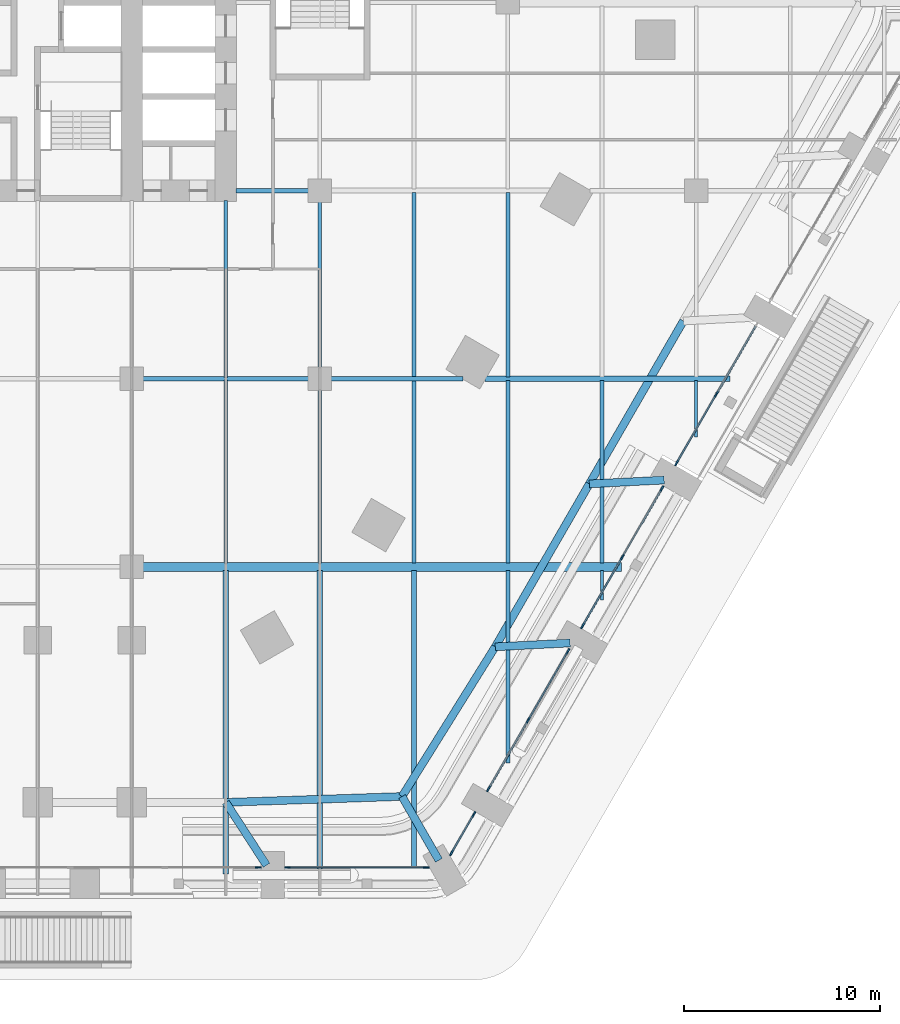
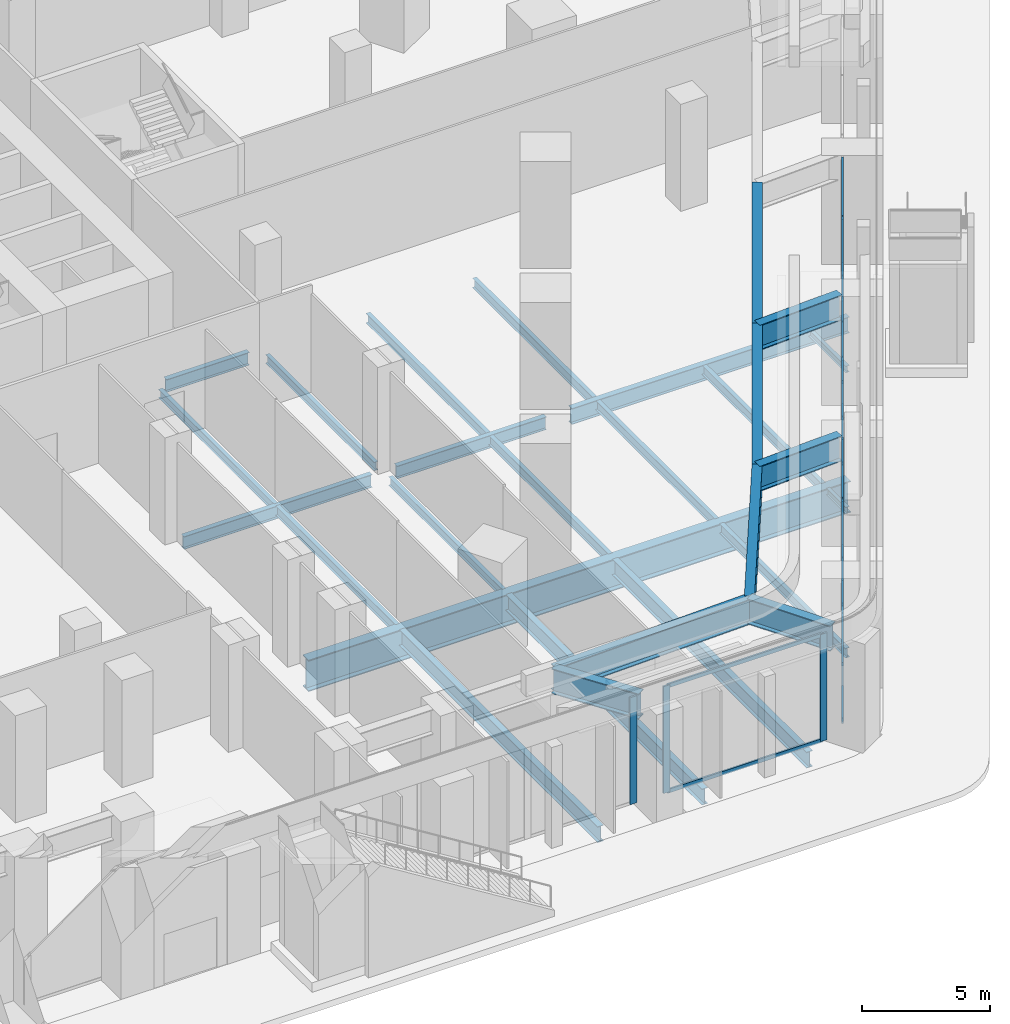
# One storey, part 6 of 34: 29 members, 28 beams, 6 elements without a shape of their own.
"""IFC4 building model written with IfcOpenShell, lengths in metres."""

from ifc_helpers import new_model, si_unit, direction, frame, origin, origin_2d, place, context, subcontext, project, spatial, rectangle, i_section, extrude, material, material_profile, profile_set, type_object, element, aggregate, save


model = new_model("IFC4")

# Units and contexts
model_context = context("Model", 3, precision=1e-05, world=origin(), true_north=direction((0.0, 1.0)))
body_context = subcontext(model_context, "Body", "Model", "MODEL_VIEW")
ifc_project = project(units=[si_unit("LENGTHUNIT", "METRE"), si_unit("AREAUNIT", "SQUARE_METRE"), si_unit("VOLUMEUNIT", "CUBIC_METRE"), si_unit("PLANEANGLEUNIT", "RADIAN"), si_unit("MASSUNIT", "GRAM", prefix="KILO")], contexts=[model_context])

# Site, building, storey
site_placement = place(None, origin())
site = spatial("IfcSite", under=ifc_project, at=site_placement, CompositionType="ELEMENT")
building_placement = place(site_placement, origin())
building = spatial("IfcBuilding", under=site, at=building_placement, Name="Kolab Exchange Tower", CompositionType="ELEMENT")
storey_placement = place(building_placement, frame((0.0, 0.0, 7.0)))
storey = spatial("IfcBuildingStorey", under=building, at=storey_placement, Name="L01", CompositionType="ELEMENT", Elevation=7.0)

# Beams
ifc_material_1 = material(Name="Steel S355", Category="steel")
ifc_material_profile_1 = material_profile(ifc_material_1, i_section(OverallWidth=0.1650390625, OverallDepth=0.31005859375, WebThickness=0.005859375, FlangeThickness=0.009765625, at=origin_2d()), Name="W310X39")
ifc_profile_set_1 = profile_set([ifc_material_profile_1], Name="Steel S355")
beam_type_1 = type_object("IfcBeamType", Name="FLOOR BEAM W310X39", PredefinedType="BEAM", material=ifc_profile_set_1)
beam_1_placement = place(storey_placement, frame((33.60009765625, -30.495361328125, -0.455078125), z_axis=(0.0, 1.0, 0.0), x_axis=(-1.0, 0.0, 0.0)))
element("IfcBeam", 1, at=beam_1_placement, inside=storey, type_object=beam_type_1, Name="beam/L01/fr/125", PredefinedType="BEAM", context=body_context, shape_type="SweptSolid", body=[
    extrude(i_section(OverallWidth=0.1650390625, OverallDepth=0.31005859375, WebThickness=0.005859375, FlangeThickness=0.009765625, at=origin_2d()), origin(), (0.0, 0.0, 1.0), 1.51025390625),
])
beam_2_placement = place(storey_placement, frame((38.39990234375, -22.181396484375, -0.455078125), z_axis=(0.0, 1.0, 0.0), x_axis=(-1.0, 0.0, 0.0)))
element("IfcBeam", 2, at=beam_2_placement, inside=storey, type_object=beam_type_1, Name="beam/L01/fr/134", PredefinedType="BEAM", context=body_context, shape_type="SweptSolid", body=[
    extrude(i_section(OverallWidth=0.1650390625, OverallDepth=0.31005859375, WebThickness=0.005859375, FlangeThickness=0.009765625, at=origin_2d()), origin(), (0.0, 0.0, 1.0), 2.887939453125),
])
ifc_material_profile_2 = material_profile(ifc_material_1, i_section(OverallWidth=0.177978515625, OverallDepth=0.406982421875, WebThickness=0.0078125, FlangeThickness=0.0126953125, at=origin_2d()), Name="W410X60")
ifc_profile_set_2 = profile_set([ifc_material_profile_2], Name="Steel S355")
beam_type_2 = type_object("IfcBeamType", Name="FLOOR BEAM W410X60", PredefinedType="BEAM", material=ifc_profile_set_2)
beam_3_placement = place(storey_placement, frame((14.39990234375, -19.1259765625, -0.50341796875), z_axis=(0.0, 1.0, 0.0), x_axis=(-1.0, 0.0, 0.0)))
element("IfcBeam", 3, at=beam_3_placement, inside=storey, type_object=beam_type_2, Name="beam/L01/fr/095", PredefinedType="BEAM", context=body_context, shape_type="SweptSolid", body=[
    extrude(i_section(OverallWidth=0.177978515625, OverallDepth=0.406982421875, WebThickness=0.0078125, FlangeThickness=0.0126953125, at=origin_2d()), origin(), (0.0, 0.0, 1.0), 9.015869140625),
])
beam_4_placement = place(storey_placement, frame((19.199951171875, -28.614990234375, -0.50341796875), z_axis=(0.0, 1.0, 0.0), x_axis=(-1.0, 0.0, 0.0)))
element("IfcBeam", 4, at=beam_4_placement, inside=storey, type_object=beam_type_2, Name="beam/L01/fr/100", PredefinedType="BEAM", context=body_context, shape_type="SweptSolid", body=[
    extrude(i_section(OverallWidth=0.177978515625, OverallDepth=0.406982421875, WebThickness=0.0078125, FlangeThickness=0.0126953125, at=origin_2d()), origin(), (0.0, 0.0, 1.0), 8.85498046875),
])
beam_5_placement = place(storey_placement, frame((19.199951171875, -18.639892578125, -0.50341796875), z_axis=(0.0, 1.0, 0.0), x_axis=(-1.0, 0.0, 0.0)))
element("IfcBeam", 5, at=beam_5_placement, inside=storey, type_object=beam_type_2, Name="beam/L01/fr/101", PredefinedType="BEAM", context=body_context, shape_type="SweptSolid", body=[
    extrude(i_section(OverallWidth=0.177978515625, OverallDepth=0.406982421875, WebThickness=0.0078125, FlangeThickness=0.0126953125, at=origin_2d()), origin(), (0.0, 0.0, 1.0), 8.47998046875),
])
ifc_material_profile_3 = material_profile(ifc_material_1, i_section(OverallWidth=0.18994140625, OverallDepth=0.45703125, WebThickness=0.009033203125, FlangeThickness=0.014404296875, at=origin_2d()), Name="W460X74")
ifc_profile_set_3 = profile_set([ifc_material_profile_3], Name="Steel S355")
beam_type_3 = type_object("IfcBeamType", Name="FLOOR BEAM W460X74", PredefinedType="BEAM", material=ifc_profile_set_3)
for number, where, z_axis, x_axis, name in (
    (6, (14.39990234375, -28.614990234375, -0.528564453125), (0.0, 1.0, 0.0), (-1.0, 0.0, 0.0), "beam/L01/fr/094"),
    (7, (24.0, -28.614990234375, -0.528564453125), (0.0, 1.0, 0.0), (-1.0, 0.0, 0.0), "beam/L01/fr/108"),
):
    element("IfcBeam", number, at=place(storey_placement, frame(where, z_axis=z_axis, x_axis=x_axis)), inside=storey, type_object=beam_type_3, Name=name, PredefinedType="BEAM", context=body_context, shape_type="SweptSolid", body=[
        extrude(i_section(OverallWidth=0.18994140625, OverallDepth=0.45703125, WebThickness=0.009033203125, FlangeThickness=0.014404296875, at=origin_2d()), origin(), (0.0, 0.0, 1.0), 9.341064453125),
    ])
beam_6_placement = place(storey_placement, frame((24.0, -19.1259765625, -0.528564453125), z_axis=(0.0, 1.0, 0.0), x_axis=(-1.0, 0.0, 0.0)))
element("IfcBeam", 8, at=beam_6_placement, inside=storey, type_object=beam_type_3, Name="beam/L01/fr/109", PredefinedType="BEAM", context=body_context, shape_type="SweptSolid", body=[
    extrude(i_section(OverallWidth=0.18994140625, OverallDepth=0.45703125, WebThickness=0.009033203125, FlangeThickness=0.014404296875, at=origin_2d()), origin(), (0.0, 0.0, 1.0), 9.43896484375),
])
beam_7_placement = place(storey_placement, frame((28.800048828125, -38.80908203125, -0.528564453125), z_axis=(0.0, 1.0, 0.0), x_axis=(-1.0, 0.0, 0.0)))
element("IfcBeam", 9, at=beam_7_placement, inside=storey, type_object=beam_type_3, Name="beam/L01/fr/116", PredefinedType="BEAM", context=body_context, shape_type="SweptSolid", body=[
    extrude(i_section(OverallWidth=0.18994140625, OverallDepth=0.45703125, WebThickness=0.009033203125, FlangeThickness=0.014404296875, at=origin_2d()), origin(), (0.0, 0.0, 1.0), 9.823974609375),
])
beam_8_placement = place(storey_placement, frame((28.800048828125, -28.614990234375, -0.528564453125), z_axis=(0.0, 1.0, 0.0), x_axis=(-1.0, 0.0, 0.0)))
element("IfcBeam", 10, at=beam_8_placement, inside=storey, type_object=beam_type_3, Name="beam/L01/fr/117", PredefinedType="BEAM", context=body_context, shape_type="SweptSolid", body=[
    extrude(i_section(OverallWidth=0.18994140625, OverallDepth=0.45703125, WebThickness=0.009033203125, FlangeThickness=0.014404296875, at=origin_2d()), origin(), (0.0, 0.0, 1.0), 9.321533203125),
])
beam_9_placement = place(storey_placement, frame((28.800048828125, -19.1064453125, -0.528564453125), z_axis=(0.0, 1.0, 0.0), x_axis=(-1.0, 0.0, 0.0)))
element("IfcBeam", 11, at=beam_9_placement, inside=storey, type_object=beam_type_3, Name="beam/L01/fr/118", PredefinedType="BEAM", context=body_context, shape_type="SweptSolid", body=[
    extrude(i_section(OverallWidth=0.18994140625, OverallDepth=0.45703125, WebThickness=0.009033203125, FlangeThickness=0.014404296875, at=origin_2d()), origin(), (0.0, 0.0, 1.0), 9.41943359375),
])
beam_10_placement = place(storey_placement, frame((33.60009765625, -28.614990234375, -0.528564453125), z_axis=(0.0, 1.0, 0.0), x_axis=(-1.0, 0.0, 0.0)))
element("IfcBeam", 12, at=beam_10_placement, inside=storey, type_object=beam_type_3, Name="beam/L01/fr/126", PredefinedType="BEAM", context=body_context, shape_type="SweptSolid", body=[
    extrude(i_section(OverallWidth=0.18994140625, OverallDepth=0.45703125, WebThickness=0.009033203125, FlangeThickness=0.014404296875, at=origin_2d()), origin(), (0.0, 0.0, 1.0), 9.321533203125),
])
ifc_material_profile_4 = material_profile(ifc_material_1, i_section(OverallWidth=0.26708984375, OverallDepth=0.761962890625, WebThickness=0.014404296875, FlangeThickness=0.021484375, at=origin_2d()), Name="W760X173")
ifc_profile_set_4 = profile_set([ifc_material_profile_4], Name="Steel S355")
beam_type_4 = type_object("IfcBeamType", Name="FLOOR BEAM W760X173", PredefinedType="BEAM", material=ifc_profile_set_4)
beam_11_placement = place(storey_placement, frame((14.39990234375, -44.478515625, -0.680908203125), z_axis=(0.0, 1.0, 0.0), x_axis=(-1.0, 0.0, 0.0)))
element("IfcBeam", 13, at=beam_11_placement, inside=storey, type_object=beam_type_4, Name="beam/L01/fr/093", PredefinedType="BEAM", context=body_context, shape_type="SweptSolid", body=[
    extrude(i_section(OverallWidth=0.26708984375, OverallDepth=0.761962890625, WebThickness=0.014404296875, FlangeThickness=0.021484375, at=origin_2d()), origin(), (0.0, 0.0, 1.0), 15.493408203125),
])
beam_12_placement = place(storey_placement, frame((19.199951171875, -44.300048828125, -0.680908203125), z_axis=(0.0, 1.0, 0.0), x_axis=(-1.0, 0.0, 0.0)))
element("IfcBeam", 14, at=beam_12_placement, inside=storey, type_object=beam_type_4, Name="beam/L01/fr/099", PredefinedType="BEAM", context=body_context, shape_type="SweptSolid", body=[
    extrude(i_section(OverallWidth=0.26708984375, OverallDepth=0.761962890625, WebThickness=0.014404296875, FlangeThickness=0.021484375, at=origin_2d()), origin(), (0.0, 0.0, 1.0), 15.31494140625),
])
beam_13_placement = place(storey_placement, frame((24.0, -44.16796875, -0.680908203125), z_axis=(0.0, 1.0, 0.0), x_axis=(-1.0, 0.0, 0.0)))
element("IfcBeam", 15, at=beam_13_placement, inside=storey, type_object=beam_type_4, Name="beam/L01/fr/107", PredefinedType="BEAM", context=body_context, shape_type="SweptSolid", body=[
    extrude(i_section(OverallWidth=0.26708984375, OverallDepth=0.761962890625, WebThickness=0.014404296875, FlangeThickness=0.021484375, at=origin_2d()), origin(), (0.0, 0.0, 1.0), 15.182861328125),
])
ifc_material_profile_5 = material_profile(ifc_material_1, i_section(OverallWidth=0.449951171875, OverallDepth=1.5, WebThickness=0.028076171875, FlangeThickness=0.044921875, at=origin_2d()), Name="PG1500X450")
ifc_profile_set_5 = profile_set([ifc_material_profile_5], Name="Steel S355")
beam_type_5 = type_object("IfcBeamType", Name="FLOOR GIRDER PG1500X450", PredefinedType="BEAM", material=ifc_profile_set_5)
beam_14_placement = place(storey_placement, frame((10.159912109375, -28.800048828125, -1.050048828125), z_axis=(1.0, 0.0, 0.0), x_axis=(0.0, 1.0, 0.0)))
element("IfcBeam", 16, at=beam_14_placement, inside=storey, type_object=beam_type_5, Name="beam/L01/gd/027", PredefinedType="BEAM", context=body_context, shape_type="SweptSolid", body=[
    extrude(i_section(OverallWidth=0.449951171875, OverallDepth=1.5, WebThickness=0.028076171875, FlangeThickness=0.044921875, at=origin_2d()), origin(), (0.0, 0.0, 1.0), 24.435791015625),
])
ifc_material_profile_6 = material_profile(ifc_material_1, i_section(OverallWidth=0.22802734375, OverallDepth=0.60791015625, WebThickness=0.01123046875, FlangeThickness=0.017333984375, at=origin_2d()), Name="W610X113")
ifc_profile_set_6 = profile_set([ifc_material_profile_6], Name="Steel S355")
beam_type_6 = type_object("IfcBeamType", Name="FLOOR GIRDER W610X113", PredefinedType="BEAM", material=ifc_profile_set_6)
beam_15_placement = place(storey_placement, frame((10.159912109375, -19.199951171875, -0.60400390625), z_axis=(1.0, 0.0, 0.0), x_axis=(0.0, 1.0, 0.0)))
element("IfcBeam", 17, at=beam_15_placement, inside=storey, type_object=beam_type_6, Name="beam/L01/gd/028", PredefinedType="BEAM", context=body_context, shape_type="SweptSolid", body=[
    extrude(i_section(OverallWidth=0.22802734375, OverallDepth=0.60791015625, WebThickness=0.01123046875, FlangeThickness=0.017333984375, at=origin_2d()), origin(), (0.0, 0.0, 1.0), 8.47998046875),
])
beam_16_placement = place(storey_placement, frame((14.909912109375, -9.60009765625, -0.60400390625), z_axis=(1.0, 0.0, 0.0), x_axis=(0.0, 1.0, 0.0)))
element("IfcBeam", 18, at=beam_16_placement, inside=storey, type_object=beam_type_6, Name="beam/L01/gd/031", PredefinedType="BEAM", context=body_context, shape_type="SweptSolid", body=[
    extrude(i_section(OverallWidth=0.22802734375, OverallDepth=0.60791015625, WebThickness=0.01123046875, FlangeThickness=0.017333984375, at=origin_2d()), origin(), (0.0, 0.0, 1.0), 3.72998046875),
])
beam_17_placement = place(storey_placement, frame((19.760009765625, -19.199951171875, -0.60400390625), z_axis=(1.0, 0.0, 0.0), x_axis=(0.0, 1.0, 0.0)))
element("IfcBeam", 19, at=beam_17_placement, inside=storey, type_object=beam_type_6, Name="beam/L01/gd/034", PredefinedType="BEAM", context=body_context, shape_type="SweptSolid", body=[
    extrude(i_section(OverallWidth=0.22802734375, OverallDepth=0.60791015625, WebThickness=0.01123046875, FlangeThickness=0.017333984375, at=origin_2d()), origin(), (0.0, 0.0, 1.0), 6.7353515625),
])
ifc_material_profile_7 = material_profile(ifc_material_1, i_section(OverallWidth=0.26708984375, OverallDepth=0.761962890625, WebThickness=0.014404296875, FlangeThickness=0.021484375, at=origin_2d()), Name="W760X173")
ifc_profile_set_7 = profile_set([ifc_material_profile_7], Name="Steel S355")
beam_type_7 = type_object("IfcBeamType", Name="FLOOR GIRDER W760X173", PredefinedType="BEAM", material=ifc_profile_set_7)
beam_18_placement = place(storey_placement, frame((27.621337890625, -19.199951171875, -0.680908203125), z_axis=(1.0, 0.0, 0.0), x_axis=(0.0, 1.0, 0.0)))
element("IfcBeam", 20, at=beam_18_placement, inside=storey, type_object=beam_type_7, Name="beam/L01/gd/039", PredefinedType="BEAM", context=body_context, shape_type="SweptSolid", body=[
    extrude(i_section(OverallWidth=0.26708984375, OverallDepth=0.761962890625, WebThickness=0.014404296875, FlangeThickness=0.021484375, at=origin_2d()), origin(), (0.0, 0.0, 1.0), 12.516845703125),
])

# Curtain wall, members
ifc_material_2 = material(Name="Aluminium EN AW-6063 T6", Category="aluminium")
curtain_wall_type = type_object("IfcCurtainWallType", Name="PODIUM STRUCTURAL GLAZING CURTAIN WALL", PredefinedType="NOTDEFINED", material=ifc_material_2)
curtain_wall_1_placement = place(storey_placement, origin())
curtain_wall_1 = element("IfcCurtainWall", 21, at=curtain_wall_1_placement, inside=storey, type_object=curtain_wall_type, Name="cw/L01/F3-3", PredefinedType="NOTDEFINED")
ifc_material_profile_8 = material_profile(ifc_material_2, rectangle(XDim=0.080078125, YDim=0.300048828125, at=origin_2d()), Name="RECT 80X300")
ifc_profile_set_8 = profile_set([ifc_material_profile_8], Name="Aluminium EN AW-6063 T6")
member_type_1 = type_object("IfcMemberType", Name="PODIUM STRUCTURAL GLAZING MULLION 80 X 300", PredefinedType="MULLION", material=ifc_profile_set_8)
member_1_placement = place(storey_placement, frame((39.431640625, -19.99462890625, 0.0), z_axis=(0.0, 0.0, 1.0), x_axis=(0.866025409806, -0.499999989571, 0.0)))
member_1 = element("IfcMember", 22, at=member_1_placement, type_object=member_type_1, Name="CW5 mullion 2", PredefinedType="MULLION", context=body_context, shape_type="SweptSolid", body=[
    extrude(rectangle(XDim=0.080078125, YDim=0.300048828125, at=origin_2d()), origin(), (0.0, 0.0, 1.0), 5.10009765625),
])
member_2_placement = place(storey_placement, frame((37.40673828125, -23.501953125, 0.0), z_axis=(0.0, 0.0, 1.0), x_axis=(0.866025409806, -0.499999989571, 0.0)))
member_2 = element("IfcMember", 23, at=member_2_placement, type_object=member_type_1, Name="CW5 mullion 3", PredefinedType="MULLION", context=body_context, shape_type="SweptSolid", body=[
    extrude(rectangle(XDim=0.080078125, YDim=0.300048828125, at=origin_2d()), origin(), (0.0, 0.0, 1.0), 5.10009765625),
])

curtain_wall_2_placement = place(storey_placement, origin())
curtain_wall_2 = element("IfcCurtainWall", 24, at=curtain_wall_2_placement, inside=storey, type_object=curtain_wall_type, Name="cw/L01/F3-4", PredefinedType="NOTDEFINED")
member_3_placement = place(storey_placement, frame((36.65673828125, -24.801025390625, 0.0), z_axis=(0.0, 0.0, 1.0), x_axis=(0.866025409806, -0.499999989571, 0.0)))
member_3 = element("IfcMember", 25, at=member_3_placement, type_object=member_type_1, Name="CW5 mullion 1", PredefinedType="MULLION", context=body_context, shape_type="SweptSolid", body=[
    extrude(rectangle(XDim=0.080078125, YDim=0.300048828125, at=origin_2d()), origin(), (0.0, 0.0, 1.0), 5.10009765625),
])
member_4_placement = place(storey_placement, frame((34.631591796875, -28.308349609375, 0.0), z_axis=(0.0, 0.0, 1.0), x_axis=(0.866025409806, -0.499999989571, 0.0)))
member_4 = element("IfcMember", 26, at=member_4_placement, type_object=member_type_1, Name="CW5 mullion 2", PredefinedType="MULLION", context=body_context, shape_type="SweptSolid", body=[
    extrude(rectangle(XDim=0.080078125, YDim=0.300048828125, at=origin_2d()), origin(), (0.0, 0.0, 1.0), 5.10009765625),
])
member_5_placement = place(storey_placement, frame((32.606689453125, -31.81591796875, 0.0), z_axis=(0.0, 0.0, 1.0), x_axis=(0.866025409806, -0.499999989571, 0.0)))
member_5 = element("IfcMember", 27, at=member_5_placement, type_object=member_type_1, Name="CW5 mullion 3", PredefinedType="MULLION", context=body_context, shape_type="SweptSolid", body=[
    extrude(rectangle(XDim=0.080078125, YDim=0.300048828125, at=origin_2d()), origin(), (0.0, 0.0, 1.0), 5.10009765625),
])

curtain_wall_3_placement = place(storey_placement, origin())
curtain_wall_3 = element("IfcCurtainWall", 28, at=curtain_wall_3_placement, inside=storey, type_object=curtain_wall_type, Name="cw/L01/F3-5", PredefinedType="NOTDEFINED")
member_6_placement = place(storey_placement, frame((31.856689453125, -33.114990234375, 0.0), z_axis=(0.0, 0.0, 1.0), x_axis=(0.866025379245, -0.500000042503, 0.0)))
member_6 = element("IfcMember", 29, at=member_6_placement, type_object=member_type_1, Name="CW5 mullion 1", PredefinedType="MULLION", context=body_context, shape_type="SweptSolid", body=[
    extrude(rectangle(XDim=0.080078125, YDim=0.300048828125, at=origin_2d()), origin(), (0.0, 0.0, 1.0), 5.10009765625),
])
member_7_placement = place(storey_placement, frame((29.831787109375, -36.622314453125, 0.0), z_axis=(0.0, 0.0, 1.0), x_axis=(0.866025379245, -0.500000042503, 0.0)))
member_7 = element("IfcMember", 30, at=member_7_placement, type_object=member_type_1, Name="CW5 mullion 2", PredefinedType="MULLION", context=body_context, shape_type="SweptSolid", body=[
    extrude(rectangle(XDim=0.080078125, YDim=0.300048828125, at=origin_2d()), origin(), (0.0, 0.0, 1.0), 5.10009765625),
])
member_8_placement = place(storey_placement, frame((27.806640625, -40.129638671875, 0.0), z_axis=(0.0, 0.0, 1.0), x_axis=(0.866025379245, -0.500000042503, 0.0)))
member_8 = element("IfcMember", 31, at=member_8_placement, type_object=member_type_1, Name="CW5 mullion 3", PredefinedType="MULLION", context=body_context, shape_type="SweptSolid", body=[
    extrude(rectangle(XDim=0.080078125, YDim=0.300048828125, at=origin_2d()), origin(), (0.0, 0.0, 1.0), 5.10009765625),
])

curtain_wall_4_placement = place(storey_placement, origin())
curtain_wall_4 = element("IfcCurtainWall", 32, at=curtain_wall_4_placement, inside=storey, type_object=curtain_wall_type, Name="cw/L01/F3-6", PredefinedType="NOTDEFINED")
member_9_placement = place(storey_placement, frame((27.056640625, -41.4287109375, 0.0), z_axis=(0.0, 0.0, 1.0), x_axis=(0.86602534008, -0.500000110339, 0.0)))
member_9 = element("IfcMember", 33, at=member_9_placement, type_object=member_type_1, Name="CW5 mullion 1", PredefinedType="MULLION", context=body_context, shape_type="SweptSolid", body=[
    extrude(rectangle(XDim=0.080078125, YDim=0.300048828125, at=origin_2d()), origin(), (0.0, 0.0, 1.0), 5.10009765625),
])
member_10_placement = place(storey_placement, frame((25.917724609375, -43.401611328125, 0.0), z_axis=(0.0, 0.0, 1.0), x_axis=(0.86602534008, -0.500000110339, 0.0)))
member_10 = element("IfcMember", 34, at=member_10_placement, type_object=member_type_1, Name="CW5 mullion 2", PredefinedType="MULLION", context=body_context, shape_type="SweptSolid", body=[
    extrude(rectangle(XDim=0.080078125, YDim=0.300048828125, at=origin_2d()), origin(), (0.0, 0.0, 1.0), 5.10009765625),
])

curtain_wall_5_placement = place(storey_placement, origin())
curtain_wall_5 = element("IfcCurtainWall", 35, at=curtain_wall_5_placement, inside=storey, type_object=curtain_wall_type, Name="cw/L01/F4-1", PredefinedType="NOTDEFINED")
member_11_placement = place(storey_placement, frame((24.6279296875, -44.146240234375, 0.0), z_axis=(0.0, 0.0, 1.0), x_axis=(0.0, -1.0, 0.0)))
member_11 = element("IfcMember", 36, at=member_11_placement, type_object=member_type_1, Name="CW5 mullion 1", PredefinedType="MULLION", context=body_context, shape_type="SweptSolid", body=[
    extrude(rectangle(XDim=0.080078125, YDim=0.300048828125, at=origin_2d()), origin(), (0.0, 0.0, 1.0), 5.10009765625),
])
member_12_placement = place(storey_placement, frame((17.550048828125, -44.146240234375, 0.0), z_axis=(0.0, 0.0, 1.0), x_axis=(0.0, -1.0, 0.0)))
member_12 = element("IfcMember", 37, at=member_12_placement, type_object=member_type_1, Name="CW5 mullion 2", PredefinedType="MULLION", context=body_context, shape_type="SweptSolid", body=[
    extrude(rectangle(XDim=0.080078125, YDim=0.300048828125, at=origin_2d()), origin(), (0.0, 0.0, 1.0), 5.10009765625),
])

# Curtain wall, member
curtain_wall_6_placement = place(storey_placement, origin())
curtain_wall_6 = element("IfcCurtainWall", 38, at=curtain_wall_6_placement, inside=storey, type_object=curtain_wall_type, Name="cw/L01/F4-2", PredefinedType="NOTDEFINED")
member_13_placement = place(storey_placement, frame((16.050048828125, -44.146240234375, 0.0), z_axis=(0.0, 0.0, 1.0), x_axis=(0.0, -1.0, 0.0)))
member_13 = element("IfcMember", 39, at=member_13_placement, type_object=member_type_1, Name="CW5 mullion 1", PredefinedType="MULLION", context=body_context, shape_type="SweptSolid", body=[
    extrude(rectangle(XDim=0.080078125, YDim=0.300048828125, at=origin_2d()), origin(), (0.0, 0.0, 1.0), 5.10009765625),
])
aggregate(curtain_wall_6, [member_13])

# Member
ifc_material_profile_9 = material_profile(ifc_material_2, rectangle(XDim=0.080078125, YDim=0.179931640625, at=origin_2d()), Name="RECT 80X180")
ifc_profile_set_9 = profile_set([ifc_material_profile_9], Name="Aluminium EN AW-6063 T6")
member_type_2 = type_object("IfcMemberType", Name="PODIUM STRUCTURAL GLAZING TRANSOM 80 X 180", PredefinedType="USERDEFINED", material=ifc_profile_set_9)
member_14_placement = place(storey_placement, frame((41.436767578125, -16.521728515625, 0.0400390625), z_axis=(-0.500008124526, -0.866020713036, 0.0), x_axis=(0.866020713036, -0.500008124526, 0.0)))
member_14 = element("IfcMember", 40, at=member_14_placement, type_object=member_type_2, Name="CW5 transom 1.1", ObjectType="TRANSOM", PredefinedType="USERDEFINED", context=body_context, shape_type="SweptSolid", body=[
    extrude(rectangle(XDim=0.080078125, YDim=0.179931640625, at=origin_2d()), origin(), (0.0, 0.0, 1.0), 3.97021484375),
])

member_15_placement = place(storey_placement, frame((41.436767578125, -16.521728515625, 5.06005859375), z_axis=(-0.500008124526, -0.866020713036, 0.0), x_axis=(0.866020713036, -0.500008124526, 0.0)))
member_15 = element("IfcMember", 41, at=member_15_placement, type_object=member_type_2, Name="CW5 transom 1.2", ObjectType="TRANSOM", PredefinedType="USERDEFINED", context=body_context, shape_type="SweptSolid", body=[
    extrude(rectangle(XDim=0.080078125, YDim=0.179931640625, at=origin_2d()), origin(), (0.0, 0.0, 1.0), 3.97021484375),
])

member_16_placement = place(storey_placement, frame((39.41162109375, -20.029296875, 0.0400390625), z_axis=(-0.499988630717, -0.866031967744, 0.0), x_axis=(0.866031967744, -0.499988630717, 0.0)))
member_16 = element("IfcMember", 42, at=member_16_placement, type_object=member_type_2, Name="CW5 transom 2.1", ObjectType="TRANSOM", PredefinedType="USERDEFINED", context=body_context, shape_type="SweptSolid", body=[
    extrude(rectangle(XDim=0.080078125, YDim=0.179931640625, at=origin_2d()), origin(), (0.0, 0.0, 1.0), 3.9697265625),
])

member_17_placement = place(storey_placement, frame((39.41162109375, -20.029296875, 5.06005859375), z_axis=(-0.499988630717, -0.866031967744, 0.0), x_axis=(0.866031967744, -0.499988630717, 0.0)))
member_17 = element("IfcMember", 43, at=member_17_placement, type_object=member_type_2, Name="CW5 transom 2.2", ObjectType="TRANSOM", PredefinedType="USERDEFINED", context=body_context, shape_type="SweptSolid", body=[
    extrude(rectangle(XDim=0.080078125, YDim=0.179931640625, at=origin_2d()), origin(), (0.0, 0.0, 1.0), 3.9697265625),
])

aggregate(curtain_wall_1, [member_1, member_2, member_14, member_15, member_16, member_17])

member_18_placement = place(storey_placement, frame((36.63671875, -24.835693359375, 0.0400390625), z_axis=(-0.500008124526, -0.866020713036, 0.0), x_axis=(0.866020713036, -0.500008124526, 0.0)))
member_18 = element("IfcMember", 44, at=member_18_placement, type_object=member_type_2, Name="CW5 transom 1.1", ObjectType="TRANSOM", PredefinedType="USERDEFINED", context=body_context, shape_type="SweptSolid", body=[
    extrude(rectangle(XDim=0.080078125, YDim=0.179931640625, at=origin_2d()), origin(), (0.0, 0.0, 1.0), 3.97021484375),
])

member_19_placement = place(storey_placement, frame((36.63671875, -24.835693359375, 5.06005859375), z_axis=(-0.500008124526, -0.866020713036, 0.0), x_axis=(0.866020713036, -0.500008124526, 0.0)))
member_19 = element("IfcMember", 45, at=member_19_placement, type_object=member_type_2, Name="CW5 transom 1.2", ObjectType="TRANSOM", PredefinedType="USERDEFINED", context=body_context, shape_type="SweptSolid", body=[
    extrude(rectangle(XDim=0.080078125, YDim=0.179931640625, at=origin_2d()), origin(), (0.0, 0.0, 1.0), 3.97021484375),
])

member_20_placement = place(storey_placement, frame((34.611572265625, -28.343017578125, 0.0400390625), z_axis=(-0.499962002361, -0.86604734062, 0.0), x_axis=(0.86604734062, -0.499962002361, 0.0)))
member_20 = element("IfcMember", 46, at=member_20_placement, type_object=member_type_2, Name="CW5 transom 2.1", ObjectType="TRANSOM", PredefinedType="USERDEFINED", context=body_context, shape_type="SweptSolid", body=[
    extrude(rectangle(XDim=0.080078125, YDim=0.179931640625, at=origin_2d()), origin(), (0.0, 0.0, 1.0), 3.969970703125),
])

member_21_placement = place(storey_placement, frame((34.611572265625, -28.343017578125, 5.06005859375), z_axis=(-0.499962002361, -0.86604734062, 0.0), x_axis=(0.86604734062, -0.499962002361, 0.0)))
member_21 = element("IfcMember", 47, at=member_21_placement, type_object=member_type_2, Name="CW5 transom 2.2", ObjectType="TRANSOM", PredefinedType="USERDEFINED", context=body_context, shape_type="SweptSolid", body=[
    extrude(rectangle(XDim=0.080078125, YDim=0.179931640625, at=origin_2d()), origin(), (0.0, 0.0, 1.0), 3.969970703125),
])

aggregate(curtain_wall_2, [member_3, member_4, member_5, member_18, member_19, member_20, member_21])

member_22_placement = place(storey_placement, frame((31.836669921875, -33.1494140625, 0.0400390625), z_axis=(-0.500008124526, -0.866020713036, 0.0), x_axis=(0.866020713036, -0.500008124526, 0.0)))
member_22 = element("IfcMember", 48, at=member_22_placement, type_object=member_type_2, Name="CW5 transom 1.1", ObjectType="TRANSOM", PredefinedType="USERDEFINED", context=body_context, shape_type="SweptSolid", body=[
    extrude(rectangle(XDim=0.080078125, YDim=0.179931640625, at=origin_2d()), origin(), (0.0, 0.0, 1.0), 3.97021484375),
])

member_23_placement = place(storey_placement, frame((31.836669921875, -33.1494140625, 5.06005859375), z_axis=(-0.500008124526, -0.866020713036, 0.0), x_axis=(0.866020713036, -0.500008124526, 0.0)))
member_23 = element("IfcMember", 49, at=member_23_placement, type_object=member_type_2, Name="CW5 transom 1.2", ObjectType="TRANSOM", PredefinedType="USERDEFINED", context=body_context, shape_type="SweptSolid", body=[
    extrude(rectangle(XDim=0.080078125, YDim=0.179931640625, at=origin_2d()), origin(), (0.0, 0.0, 1.0), 3.97021484375),
])

member_24_placement = place(storey_placement, frame((29.811767578125, -36.656982421875, 0.0400390625), z_axis=(-0.500034753701, -0.866005337796, 0.0), x_axis=(0.866005337796, -0.500034753701, 0.0)))
member_24 = element("IfcMember", 50, at=member_24_placement, type_object=member_type_2, Name="CW5 transom 2.1", ObjectType="TRANSOM", PredefinedType="USERDEFINED", context=body_context, shape_type="SweptSolid", body=[
    extrude(rectangle(XDim=0.080078125, YDim=0.179931640625, at=origin_2d()), origin(), (0.0, 0.0, 1.0), 3.969970703125),
])

member_25_placement = place(storey_placement, frame((29.811767578125, -36.656982421875, 5.06005859375), z_axis=(-0.500034753701, -0.866005337796, 0.0), x_axis=(0.866005337796, -0.500034753701, 0.0)))
member_25 = element("IfcMember", 51, at=member_25_placement, type_object=member_type_2, Name="CW5 transom 2.2", ObjectType="TRANSOM", PredefinedType="USERDEFINED", context=body_context, shape_type="SweptSolid", body=[
    extrude(rectangle(XDim=0.080078125, YDim=0.179931640625, at=origin_2d()), origin(), (0.0, 0.0, 1.0), 3.969970703125),
])

aggregate(curtain_wall_3, [member_6, member_7, member_8, member_22, member_23, member_24, member_25])

member_26_placement = place(storey_placement, frame((27.03662109375, -41.46337890625, 0.0400390625), z_axis=(-0.499950011202, -0.866054262907, 0.0), x_axis=(0.866054262907, -0.499950011202, 0.0)))
member_26 = element("IfcMember", 52, at=member_26_placement, type_object=member_type_2, Name="CW5 transom 1.1", ObjectType="TRANSOM", PredefinedType="USERDEFINED", context=body_context, shape_type="SweptSolid", body=[
    extrude(rectangle(XDim=0.080078125, YDim=0.179931640625, at=origin_2d()), origin(), (0.0, 0.0, 1.0), 2.197998046875),
])

member_27_placement = place(storey_placement, frame((27.03662109375, -41.46337890625, 5.06005859375), z_axis=(-0.499950011202, -0.866054262907, 0.0), x_axis=(0.866054262907, -0.499950011202, 0.0)))
member_27 = element("IfcMember", 53, at=member_27_placement, type_object=member_type_2, Name="CW5 transom 1.2", ObjectType="TRANSOM", PredefinedType="USERDEFINED", context=body_context, shape_type="SweptSolid", body=[
    extrude(rectangle(XDim=0.080078125, YDim=0.179931640625, at=origin_2d()), origin(), (0.0, 0.0, 1.0), 2.197998046875),
])

aggregate(curtain_wall_4, [member_9, member_10, member_26, member_27])

member_28_placement = place(storey_placement, frame((24.587890625, -44.146240234375, 0.0400390625), z_axis=(-1.0, 0.0, 0.0), x_axis=(0.0, -1.0, 0.0)))
member_28 = element("IfcMember", 54, at=member_28_placement, type_object=member_type_2, Name="CW5 transom 1.1", ObjectType="TRANSOM", PredefinedType="USERDEFINED", context=body_context, shape_type="SweptSolid", body=[
    extrude(rectangle(XDim=0.080078125, YDim=0.179931640625, at=origin_2d()), origin(), (0.0, 0.0, 1.0), 6.997802734375),
])

member_29_placement = place(storey_placement, frame((24.587890625, -44.146240234375, 5.06005859375), z_axis=(-1.0, 0.0, 0.0), x_axis=(0.0, -1.0, 0.0)))
member_29 = element("IfcMember", 55, at=member_29_placement, type_object=member_type_2, Name="CW5 transom 1.2", ObjectType="TRANSOM", PredefinedType="USERDEFINED", context=body_context, shape_type="SweptSolid", body=[
    extrude(rectangle(XDim=0.080078125, YDim=0.179931640625, at=origin_2d()), origin(), (0.0, 0.0, 1.0), 6.997802734375),
])

aggregate(curtain_wall_5, [member_11, member_12, member_28, member_29])

# Beams
ifc_material_profile_10 = material_profile(ifc_material_1, i_section(OverallWidth=0.39990234375, OverallDepth=1.199951171875, WebThickness=0.02490234375, FlangeThickness=0.0400390625, at=origin_2d()), Name="PG1200X400")
ifc_profile_set_10 = profile_set([ifc_material_profile_10], Name="Steel S355")
beam_type_8 = type_object("IfcBeamType", Name="TRANSFER GIRDER PG1200X400", PredefinedType="BEAM", material=ifc_profile_set_10)
for number, where, z_axis, x_axis, name in (
    (56, (32.950439453125, -24.56640625, 4.5), (0.99870268381, 0.050921010905, 0.0), (-0.050921010905, 0.99870268381, 0.0), "beam/L01/tg/P2-F3-07"),
    (57, (28.150390625, -32.88037109375, 4.5), (0.998699436698, 0.050984655928, 0.0), (-0.050984655928, 0.998699436698, 0.0), "beam/L01/tg/P2-F3-09"),
):
    element("IfcBeam", number, at=place(storey_placement, frame(where, z_axis=z_axis, x_axis=x_axis)), inside=storey, type_object=beam_type_8, Name=name, PredefinedType="BEAM", context=body_context, shape_type="SweptSolid", body=[
        extrude(i_section(OverallWidth=0.39990234375, OverallDepth=1.199951171875, WebThickness=0.02490234375, FlangeThickness=0.0400390625, at=origin_2d()), origin(), (0.0, 0.0, 1.0), 3.825927734375),
    ])
beam_19_placement = place(storey_placement, frame((23.392822265625, -40.517822265625, 4.5), z_axis=(0.50004282833, -0.866000675424, 0.0), x_axis=(0.866000675424, 0.50004282833, 0.0)))
element("IfcBeam", 58, at=beam_19_placement, inside=storey, type_object=beam_type_8, Name="beam/L01/tg/P2-F4-01", PredefinedType="BEAM", context=body_context, shape_type="SweptSolid", body=[
    extrude(i_section(OverallWidth=0.39990234375, OverallDepth=1.199951171875, WebThickness=0.02490234375, FlangeThickness=0.0400390625, at=origin_2d()), origin(), (0.0, 0.0, 1.0), 3.760009765625),
])
beam_20_placement = place(storey_placement, frame((14.39990234375, -40.819091796875, 4.5), z_axis=(0.543444396742, -0.839445166553, 0.0), x_axis=(0.839445166553, 0.543444396742, 0.0)))
element("IfcBeam", 59, at=beam_20_placement, inside=storey, type_object=beam_type_8, Name="beam/L01/tg/P2-F4-03", PredefinedType="BEAM", context=body_context, shape_type="SweptSolid", body=[
    extrude(i_section(OverallWidth=0.39990234375, OverallDepth=1.199951171875, WebThickness=0.02490234375, FlangeThickness=0.0400390625, at=origin_2d()), origin(), (0.0, 0.0, 1.0), 3.826171875),
])
beam_21_placement = place(storey_placement, frame((37.75048828125, -16.252685546875, 4.5), z_axis=(-0.500009370536, -0.866019993635, 0.0), x_axis=(0.866019993635, -0.500009370536, 0.0)))
element("IfcBeam", 60, at=beam_21_placement, inside=storey, type_object=beam_type_8, Name="beam/L01/rg/P2-F3-05", PredefinedType="BEAM", context=body_context, shape_type="SweptSolid", body=[
    extrude(i_section(OverallWidth=0.39990234375, OverallDepth=1.199951171875, WebThickness=0.02490234375, FlangeThickness=0.0400390625, at=origin_2d()), origin(), (0.0, 0.0, 1.0), 9.599853515625),
])
beam_22_placement = place(storey_placement, frame((32.950439453125, -24.56640625, 4.5), z_axis=(-0.499998358424, -0.866026351547, 0.0), x_axis=(0.866026351547, -0.499998358424, 0.0)))
element("IfcBeam", 61, at=beam_22_placement, inside=storey, type_object=beam_type_8, Name="beam/L01/rg/P2-F3-07", PredefinedType="BEAM", context=body_context, shape_type="SweptSolid", body=[
    extrude(i_section(OverallWidth=0.39990234375, OverallDepth=1.199951171875, WebThickness=0.02490234375, FlangeThickness=0.0400390625, at=origin_2d()), origin(), (0.0, 0.0, 1.0), 9.60009765625),
])
for number, where, z_axis, x_axis, name in (
    (62, (28.150390625, -32.88037109375, 4.5), (-0.528732569024, -0.848788472149, 0.0), (0.848788472149, -0.528732569024, 0.0), "beam/L01/rg/P2-F3-09"),
    (63, (23.392822265625, -40.517822265625, 4.5), (-0.999439321882, -0.033481963437, 0.0), (0.033481963437, -0.999439321882, 0.0), "beam/L01/rg/P2-F4-01"),
):
    element("IfcBeam", number, at=place(storey_placement, frame(where, z_axis=z_axis, x_axis=x_axis)), inside=storey, type_object=beam_type_8, Name=name, PredefinedType="BEAM", context=body_context, shape_type="SweptSolid", body=[
        extrude(i_section(OverallWidth=0.39990234375, OverallDepth=1.199951171875, WebThickness=0.02490234375, FlangeThickness=0.0400390625, at=origin_2d()), origin(), (0.0, 0.0, 1.0), 8.998046875),
    ])

save(model, "model.ifc")
